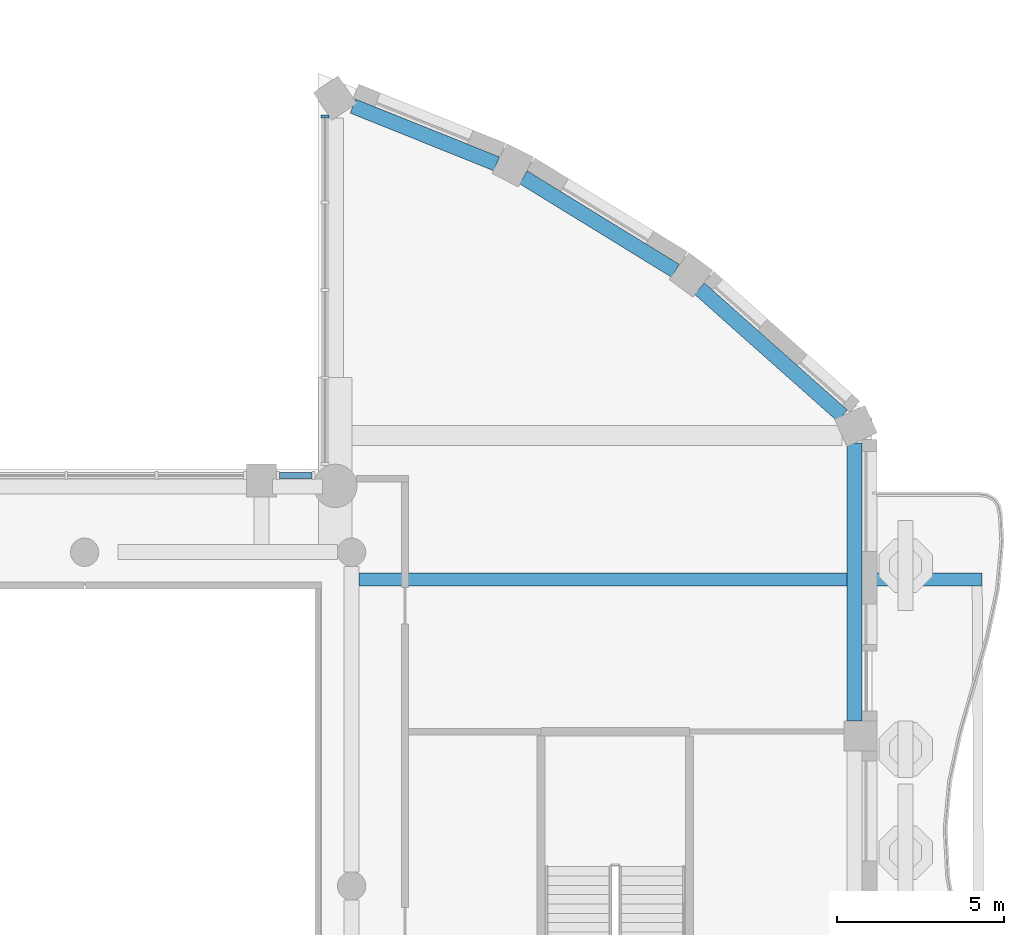
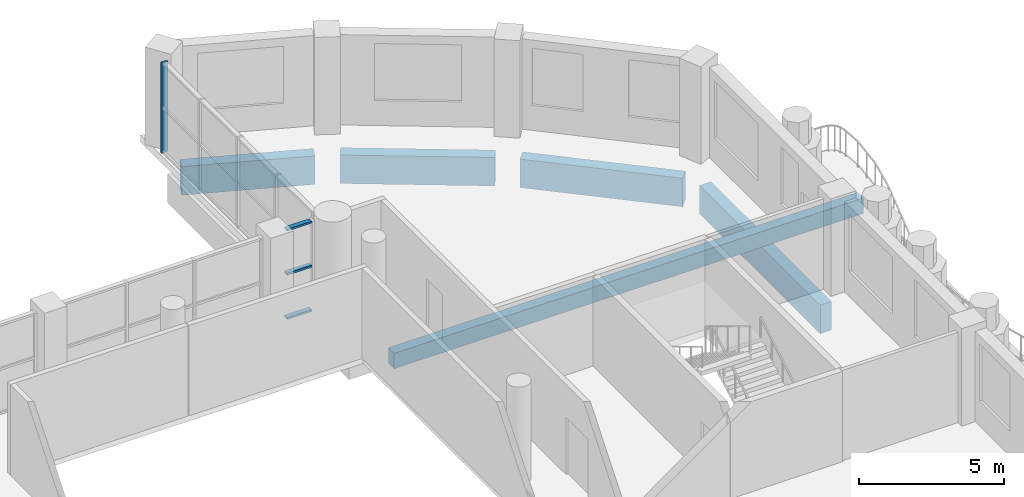
# One storey, part 3 of 15: 5 beams, 4 members, 2 elements without a shape of their own.
"""IFC4 building model written with IfcOpenShell, lengths in metres."""

import ifcopenshell
import ifcopenshell.guid

model = None  # the IFC model being written
_history = None  # IfcOwnerHistory: only IFC2X3 demands one
_inside = {}  # id of a spatial element -> (the spatial element, [elements in it])
_under = {}  # id of a project, library or spatial element -> (it, [spatial elements below it])
_declared = {}  # id of a project -> (the project, [libraries it declares])
_typed = {}  # id of a type object -> (the type object, [elements of that type])
_made_of = {}  # id of a material, layer set ... -> (it, [elements and type objects made of it])


def new_model(schema):
    """Start an empty IFC model of exactly this schema.

    Asked for "IFC4X3", IfcOpenShell would pick the latest addendum, in which some entities
    have other attributes; the version numbers below select the first issue.
    IFC2X3 requires an IfcOwnerHistory on every rooted entity: one is made here for all.
    """
    global model, _history
    if schema == "IFC4X3":
        model = ifcopenshell.file(schema_version=(4, 3, 0, 0))
    else:
        model = ifcopenshell.file(schema=schema)
    _inside.clear()
    _under.clear()
    _declared.clear()
    _typed.clear()
    _made_of.clear()
    _history = None
    if model.schema == "IFC2X3":
        org = make("IfcOrganization", Name="unknown")
        user = make(
            "IfcPersonAndOrganization",
            ThePerson=make("IfcPerson", FamilyName="unknown"),
            TheOrganization=org,
        )
        app = make(
            "IfcApplication",
            ApplicationDeveloper=org,
            Version="unknown",
            ApplicationFullName="unknown",
            ApplicationIdentifier="unknown",
        )
        _history = make(
            "IfcOwnerHistory",
            OwningUser=user,
            OwningApplication=app,
            ChangeAction="ADDED",
            CreationDate=0,
        )
    return model


def make(cls, **values):
    """One entity of the class cls with the attributes given. An attribute that is None is left unset."""
    return model.create_entity(
        cls, **{name: value for name, value in values.items() if value is not None}
    )


def rooted(cls, **values):
    """An entity with a GlobalId (a new one), such as an element, a storey or a relation."""
    return make(cls, GlobalId=ifcopenshell.guid.new(), OwnerHistory=_history, **values)


def si_unit(unit_type, name, prefix=None):
    """IfcSIUnit, for example si_unit("LENGTHUNIT", "METRE", prefix="MILLI")."""
    return make("IfcSIUnit", UnitType=unit_type, Prefix=prefix, Name=name)


def assignment(units):
    """IfcUnitAssignment: the units of a project."""
    return None if units is None else make("IfcUnitAssignment", Units=units)


def point(xyz):
    """IfcCartesianPoint."""
    return None if xyz is None else make("IfcCartesianPoint", Coordinates=xyz)


def direction(xyz):
    """IfcDirection."""
    return None if xyz is None else make("IfcDirection", DirectionRatios=xyz)


def frame(location, z_axis=None, x_axis=None):
    """IfcAxis2Placement3D, a coordinate frame: its origin and axes. An axis left out is left unset."""
    return make(
        "IfcAxis2Placement3D",
        Location=point(location),
        Axis=direction(z_axis),
        RefDirection=direction(x_axis),
    )


def frame_2d(location, x_axis=None):
    """IfcAxis2Placement2D, a coordinate frame in the plane: its origin and x axis."""
    return make(
        "IfcAxis2Placement2D", Location=point(location), RefDirection=direction(x_axis)
    )


def origin():
    """The frame at (0, 0, 0) with its axes left unset."""
    return frame((0.0, 0.0, 0.0))


def origin_2d():
    """The frame at (0, 0) in the plane with its x axis left unset."""
    return frame_2d((0.0, 0.0))


def place(relative_to, where):
    """IfcLocalPlacement: puts the frame where relative to a parent placement (None: the world)."""
    return make(
        "IfcLocalPlacement", PlacementRelTo=relative_to, RelativePlacement=where
    )


def context(
    kind, dimensions, precision=None, world=None, true_north=None, identifier=None
):
    """IfcGeometricRepresentationContext, for example the 3D "Model" context."""
    return make(
        "IfcGeometricRepresentationContext",
        ContextIdentifier=identifier,
        ContextType=kind,
        CoordinateSpaceDimension=dimensions,
        Precision=precision,
        WorldCoordinateSystem=world,
        TrueNorth=true_north,
    )


def subcontext(parent, identifier, kind, view, scale=None):
    """IfcGeometricRepresentationSubContext, for example "Body" below "Model"."""
    return make(
        "IfcGeometricRepresentationSubContext",
        ContextIdentifier=identifier,
        ContextType=kind,
        ParentContext=parent,
        TargetScale=scale,
        TargetView=view,
    )


def project(units=None, contexts=None):
    """IfcProject with its units and contexts."""
    return rooted(
        "IfcProject",
        Name="project",
        RepresentationContexts=contexts,
        UnitsInContext=assignment(units),
    )


def spatial(cls, under=None, at=None, **own):
    """A site, building, storey or space (cls), placed at a placement, below another one or the project."""
    s = rooted(cls, ObjectPlacement=at, **own)
    if under is not None:
        _under.setdefault(under.id(), (under, []))[1].append(s)
    return s


def profile(cls, at=None, kind="AREA", **sizes):
    """A parametric profile (cls). Its sizes go by their IFC names, for example OverallWidth=200.0."""
    return make(cls, ProfileType=kind, Position=at, **sizes)


def rectangle(**sizes):
    """IfcRectangleProfileDef."""
    return profile("IfcRectangleProfileDef", **sizes)


def extrude(swept, where, along, depth):
    """IfcExtrudedAreaSolid: the profile swept, set in the frame where, extruded along a direction by depth."""
    return make(
        "IfcExtrudedAreaSolid",
        SweptArea=swept,
        Position=where,
        ExtrudedDirection=direction(along),
        Depth=depth,
    )


def shape(context_of_items, identifier, shape_type, items):
    """IfcShapeRepresentation: the items that make up one representation, for example the "Body"."""
    return make(
        "IfcShapeRepresentation",
        ContextOfItems=context_of_items,
        RepresentationIdentifier=identifier,
        RepresentationType=shape_type,
        Items=items,
    )


def material(Name=None, Category=None):
    """IfcMaterial."""
    return make("IfcMaterial", Name=Name, Category=Category)


def material_profile(
    of_material, cross_section, Name=None, Category=None, Priority=None
):
    """IfcMaterialProfile: a cross section and its material."""
    return make(
        "IfcMaterialProfile",
        Name=Name,
        Material=of_material,
        Profile=cross_section,
        Priority=Priority,
        Category=Category,
    )


def profile_set(profiles, Name=None, composite=None):
    """IfcMaterialProfileSet."""
    return make(
        "IfcMaterialProfileSet",
        Name=Name,
        MaterialProfiles=profiles,
        CompositeProfile=composite,
    )


def made_of(thing, what):
    """Note that an element or type object is made of a material, layer set ...; save() writes the relation."""
    if what is not None:
        _made_of.setdefault(what.id(), (what, []))[1].append(thing)
    return thing


def type_object(cls, material=None, **own):
    """A type object (cls), such as IfcWallType, which elements share."""
    return made_of(rooted(cls, **own), material)


def element(
    cls,
    number,
    at=None,
    inside=None,
    cuts=None,
    type_object=None,
    material=None,
    context=None,
    identifier="Body",
    shape_type=None,
    held_by="IfcProductDefinitionShape",
    body=None,
    shapes=None,
    **own,
):
    """One element of the class cls, such as IfcWall. Its Tag is "e" and its number.

    at: its placement. inside: the storey or other place that contains it. cuts: it is an
    opening in that element (IfcRelVoidsElement). A single representation is given by context,
    identifier, shape_type and body (its items); several are given by shapes. held_by: the class
    of the entity that holds the representations. save() writes the other relations.
    """
    e = rooted(cls, Tag="e%d" % number, ObjectPlacement=at, **own)
    if body is not None:
        shapes = [shape(context, identifier, shape_type, body)]
    if shapes is not None:
        e.Representation = make(held_by, Representations=shapes)
    if inside is not None:
        _inside.setdefault(inside.id(), (inside, []))[1].append(e)
    if cuts is not None:
        rooted(
            "IfcRelVoidsElement", RelatingBuildingElement=cuts, RelatedOpeningElement=e
        )
    if type_object is not None:
        _typed.setdefault(type_object.id(), (type_object, []))[1].append(e)
    return made_of(e, material)


def aggregate(whole, parts):
    """IfcRelAggregates: a whole, such as a stair, and the parts it consists of."""
    return rooted("IfcRelAggregates", RelatingObject=whole, RelatedObjects=parts)


def save(model, path):
    """Write the relations noted so far, then the file.

    IfcRelAggregates (storeys below a building ...), IfcRelContainedInSpatialStructure (elements
    in a storey), IfcRelDefinesByType, IfcRelAssociatesMaterial and IfcRelDeclares: one each for
    every whole, place, type object, material and project.
    """
    for whole, parts in _under.values():
        aggregate(whole, parts)
    for where, things in _inside.values():
        rooted(
            "IfcRelContainedInSpatialStructure",
            RelatedElements=things,
            RelatingStructure=where,
        )
    for kind, things in _typed.values():
        rooted("IfcRelDefinesByType", RelatedObjects=things, RelatingType=kind)
    for what, things in _made_of.values():
        rooted("IfcRelAssociatesMaterial", RelatedObjects=things, RelatingMaterial=what)
    for by, libraries in _declared.values():
        rooted("IfcRelDeclares", RelatingContext=by, RelatedDefinitions=libraries)
    model.write(path)


model = new_model("IFC4")

# Units and contexts
model_context = context("Model", 3, precision=1e-05, world=origin(), true_north=direction((0.0, 1.0)))
body_context = subcontext(model_context, "Body", "Model", "MODEL_VIEW")
ifc_project = project(units=[si_unit("LENGTHUNIT", "METRE"), si_unit("AREAUNIT", "SQUARE_METRE"), si_unit("VOLUMEUNIT", "CUBIC_METRE"), si_unit("PLANEANGLEUNIT", "RADIAN"), si_unit("MASSUNIT", "GRAM", prefix="KILO")], contexts=[model_context])

# Site, building, storey
site_placement = place(None, origin())
site = spatial("IfcSite", under=ifc_project, at=site_placement, CompositionType="ELEMENT")
building_placement = place(site_placement, origin())
building = spatial("IfcBuilding", under=site, at=building_placement, Name="Cypress Arch Tower", CompositionType="ELEMENT")
storey_placement = place(building_placement, frame((0.0, 0.0, 243.39990234375)))
storey = spatial("IfcBuildingStorey", under=building, at=storey_placement, Name="L54", CompositionType="ELEMENT", Elevation=243.39990234375)

# Beam
ifc_material_1 = material(Name="Concrete C50/60", Category="concrete")
ifc_material_profile_1 = material_profile(ifc_material_1, rectangle(XDim=0.39990234375, YDim=0.64990234375, at=origin_2d()), Name="RC 400x650")
ifc_profile_set_1 = profile_set([ifc_material_profile_1], Name="Concrete C50/60")
beam_type_1 = type_object("IfcBeamType", Name="Cantilever beam RC 400x650 Concrete C50/60", PredefinedType="BEAM", material=ifc_profile_set_1)
beam_1_placement = place(storey_placement, frame((9.22509765625, 9.1826171875, -0.625), z_axis=(1.0, 0.0, 0.0), x_axis=(0.0, 1.0, 0.0)))
element("IfcBeam", 1, at=beam_1_placement, inside=storey, type_object=beam_type_1, Name="Cantilever beam L54 C17 2", PredefinedType="BEAM", context=body_context, shape_type="SweptSolid", body=[
    extrude(rectangle(XDim=0.39990234375, YDim=0.64990234375, at=origin_2d()), origin(), (0.0, 0.0, 1.0), 18.670166015625),
])

# Curtain wall, member
ifc_material_2 = material(Name="Anodised aluminium, bronze finish, clear laminated double glazing", Category="aluminium")
curtain_wall_type = type_object("IfcCurtainWallType", Name="Curtain wall CW7 slot glazing", PredefinedType="NOTDEFINED", material=ifc_material_2)
curtain_wall_1_placement = place(storey_placement, origin())
curtain_wall_1 = element("IfcCurtainWall", 2, at=curtain_wall_1_placement, inside=storey, type_object=curtain_wall_type, Name="Curtain wall L54 slot C00.0", PredefinedType="NOTDEFINED")
ifc_material_3 = material(Name="Anodised aluminium, bronze finish", Category="aluminium")
ifc_material_profile_2 = material_profile(ifc_material_3, rectangle(XDim=0.239990234375, YDim=0.0849609375, at=origin_2d()), Name="Mullion 85x240")
ifc_profile_set_2 = profile_set([ifc_material_profile_2], Name="Anodised aluminium, bronze finish")
member_type_1 = type_object("IfcMemberType", Name="Mullion CW7 85x240", PredefinedType="MULLION", material=ifc_profile_set_2)
member_1_placement = place(storey_placement, frame((8.199951171875, 23.060302734375, 0.0), z_axis=(0.0, 0.0, 1.0), x_axis=(1.0, 0.0, 0.0)))
member_1 = element("IfcMember", 3, at=member_1_placement, type_object=member_type_1, Name="CW7 mullion 1", PredefinedType="MULLION", context=body_context, shape_type="SweptSolid", body=[
    extrude(rectangle(XDim=0.239990234375, YDim=0.0849609375, at=origin_2d()), origin(), (0.0, 0.0, 1.0), 3.800048828125),
])
aggregate(curtain_wall_1, [member_1])

# Beams
ifc_material_4 = material(Name="Concrete C50/60", Category="concrete")
ifc_material_profile_3 = material_profile(ifc_material_4, rectangle(XDim=0.449951171875, YDim=1.199951171875, at=origin_2d()), Name="RC 450x1200")
ifc_profile_set_3 = profile_set([ifc_material_profile_3], Name="Concrete C50/60")
beam_type_2 = type_object("IfcBeamType", Name="Spandrel beam RC 450x1200 Concrete C50/60", PredefinedType="SPANDREL", material=ifc_profile_set_3)
beam_2_placement = place(storey_placement, frame((24.074951171875, 4.949951171875, -1.5498046875), z_axis=(0.0, 1.0, 0.0), x_axis=(-1.0, 0.0, 0.0)))
element("IfcBeam", 4, at=beam_2_placement, inside=storey, type_object=beam_type_2, Name="Spandrel beam L54 BC17-2", PredefinedType="SPANDREL", context=body_context, shape_type="SweptSolid", body=[
    extrude(rectangle(XDim=0.449951171875, YDim=1.199951171875, at=origin_2d()), origin(), (0.0, 0.0, 1.0), 8.32080078125),
])
beam_3_placement = place(storey_placement, frame((23.706298828125, 14.091796875, -1.5498046875), z_axis=(-0.747555073917, 0.664199827959, 0.0), x_axis=(-0.664199827959, -0.747555073917, 0.0)))
element("IfcBeam", 5, at=beam_3_placement, inside=storey, type_object=beam_type_2, Name="Spandrel beam L54 BC18-0", PredefinedType="SPANDREL", context=body_context, shape_type="SweptSolid", body=[
    extrude(rectangle(XDim=0.449951171875, YDim=1.199951171875, at=origin_2d()), origin(), (0.0, 0.0, 1.0), 5.72900390625),
])
beam_4_placement = place(storey_placement, frame((18.700927734375, 18.43359375, -1.5498046875), z_axis=(-0.851880940975, 0.523735488966, 0.0), x_axis=(-0.523735488966, -0.851880940975, 0.0)))
element("IfcBeam", 6, at=beam_4_placement, inside=storey, type_object=beam_type_2, Name="Spandrel beam L54 BC19-0", PredefinedType="SPANDREL", context=body_context, shape_type="SweptSolid", body=[
    extrude(rectangle(XDim=0.449951171875, YDim=1.199951171875, at=origin_2d()), origin(), (0.0, 0.0, 1.0), 5.344970703125),
])
beam_5_placement = place(storey_placement, frame((13.343994140625, 21.6376953125, -1.5498046875), z_axis=(-0.92793836678, 0.372733668263, 0.0), x_axis=(-0.372733668263, -0.92793836678, 0.0)))
element("IfcBeam", 7, at=beam_5_placement, inside=storey, type_object=beam_type_2, Name="Spandrel beam L54 BC20-0", PredefinedType="SPANDREL", context=body_context, shape_type="SweptSolid", body=[
    extrude(rectangle(XDim=0.449951171875, YDim=1.199951171875, at=origin_2d()), origin(), (0.0, 0.0, 1.0), 4.637451171875),
])

# Curtain wall, members
curtain_wall_2_placement = place(storey_placement, origin())
curtain_wall_2 = element("IfcCurtainWall", 8, at=curtain_wall_2_placement, inside=storey, type_object=curtain_wall_type, Name="Curtain wall L54 slot C01.0", PredefinedType="NOTDEFINED")
ifc_material_5 = material(Name="Anodised aluminium, bronze finish", Category="aluminium")
ifc_material_profile_4 = material_profile(ifc_material_5, rectangle(XDim=0.179931640625, YDim=0.0849609375, at=origin_2d()), Name="Transom 85x180")
ifc_profile_set_4 = profile_set([ifc_material_profile_4], Name="Anodised aluminium, bronze finish")
member_type_2 = type_object("IfcMemberType", Name="Transom CW7 85x180", PredefinedType="USERDEFINED", material=ifc_profile_set_4)
member_2_placement = place(storey_placement, frame((7.8134765625, 12.300048828125, 0.04248046875), z_axis=(-1.0, 0.0, 0.0), x_axis=(0.0, -1.0, 0.0)))
member_2 = element("IfcMember", 9, at=member_2_placement, type_object=member_type_2, Name="CW7 transom 1.1", ObjectType="TRANSOM", PredefinedType="USERDEFINED", context=body_context, shape_type="SweptSolid", body=[
    extrude(rectangle(XDim=0.179931640625, YDim=0.0849609375, at=origin_2d()), origin(), (0.0, 0.0, 1.0), 0.978515625),
])
member_3_placement = place(storey_placement, frame((7.8134765625, 12.300048828125, 1.900146484375), z_axis=(-1.0, 0.0, 0.0), x_axis=(0.0, -1.0, 0.0)))
member_3 = element("IfcMember", 10, at=member_3_placement, type_object=member_type_2, Name="CW7 transom 1.2", ObjectType="TRANSOM", PredefinedType="USERDEFINED", context=body_context, shape_type="SweptSolid", body=[
    extrude(rectangle(XDim=0.179931640625, YDim=0.0849609375, at=origin_2d()), origin(), (0.0, 0.0, 1.0), 0.978515625),
])
member_4_placement = place(storey_placement, frame((7.8134765625, 12.300048828125, 3.757568359375), z_axis=(-1.0, 0.0, 0.0), x_axis=(0.0, -1.0, 0.0)))
member_4 = element("IfcMember", 11, at=member_4_placement, type_object=member_type_2, Name="CW7 transom 1.3", ObjectType="TRANSOM", PredefinedType="USERDEFINED", context=body_context, shape_type="SweptSolid", body=[
    extrude(rectangle(XDim=0.179931640625, YDim=0.0849609375, at=origin_2d()), origin(), (0.0, 0.0, 1.0), 0.978515625),
])
aggregate(curtain_wall_2, [member_2, member_3, member_4])

save(model, "model.ifc")
